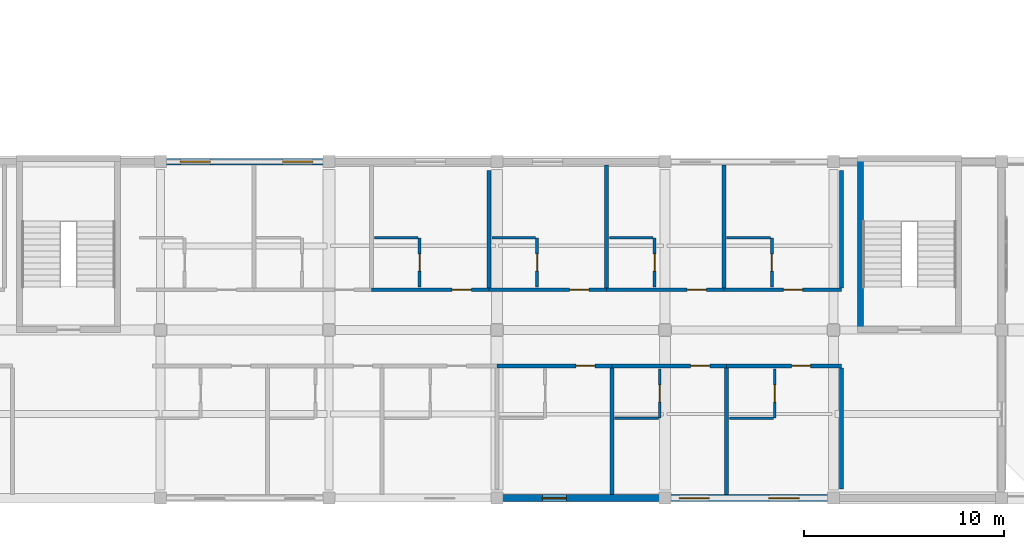
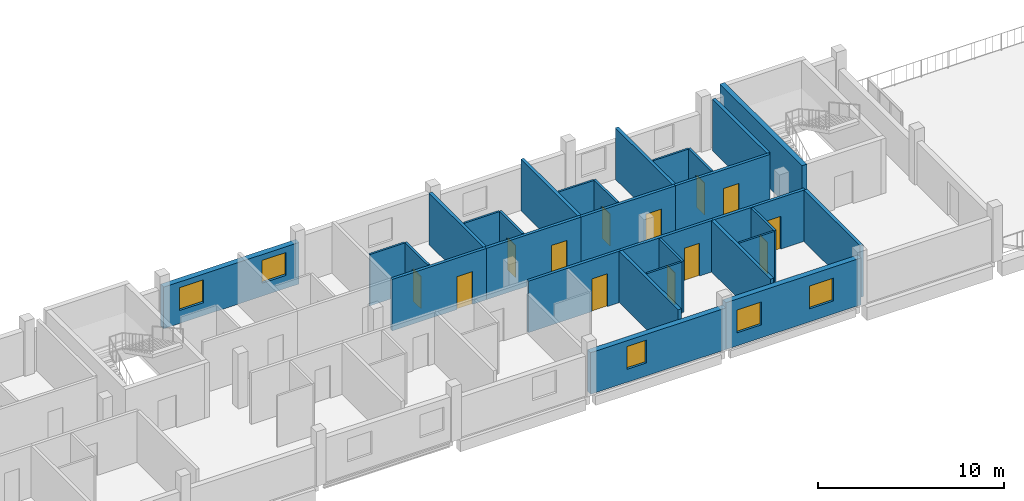
# One storey, part 19 of 25: 30 walls, 13 doors, 5 windows, 18 openings.
"""IFC4 building model written with IfcOpenShell, lengths in metres."""

from ifc_helpers import new_model, si_unit, derived_unit, direction, frame, frame_2d, origin, place, context, subcontext, project, spatial, rectangle, extrude, material, layer, layer_set, type_object, element, fill, save


model = new_model("IFC4")

# Units and contexts
model_context = context("Model", 3, precision=1e-05, world=origin(), true_north=direction((0.0, 1.0)))
body_context = subcontext(model_context, "Body", "Model", "MODEL_VIEW")
ifc_project = project(units=[si_unit("LENGTHUNIT", "METRE"), si_unit("AREAUNIT", "SQUARE_METRE"), si_unit("VOLUMEUNIT", "CUBIC_METRE"), si_unit("PLANEANGLEUNIT", "RADIAN"), si_unit("MASSUNIT", "GRAM", prefix="KILO"), derived_unit("THERMALTRANSMITTANCEUNIT", [(si_unit("POWERUNIT", "WATT"), 1), (si_unit("LENGTHUNIT", "METRE"), -2), (si_unit("THERMODYNAMICTEMPERATUREUNIT", "KELVIN"), -1)])], contexts=[model_context])

# Site, building, storey
site_placement = place(None, origin())
site = spatial("IfcSite", under=ifc_project, at=site_placement, CompositionType="ELEMENT")
building_placement = place(site_placement, origin())
building = spatial("IfcBuilding", under=site, at=building_placement, Name="Barrovel Congress Hotel", CompositionType="ELEMENT")
storey_placement = place(building_placement, frame((0.0, 0.0, 25.5)))
storey = spatial("IfcBuildingStorey", under=building, at=storey_placement, Name="L06", CompositionType="ELEMENT", Elevation=25.5)

# Wall, opening, window
ifc_material_1 = material(Name="Fired Clay Brick Masonry", Category="masonry")
ifc_layer_1 = layer(ifc_material_1, 0.340087890625)
ifc_layer_set_1 = layer_set([ifc_layer_1], Name="Fired Clay Brick Masonry")
wall_type_1 = type_object("IfcWallType", Name="EW-BRK340", PredefinedType="STANDARD", material=ifc_layer_set_1)
wall_1_placement = place(storey_placement, frame((126.0, 4.199951171875, 0.0), z_axis=(0.0, 0.0, 1.0), x_axis=(1.0, 0.0, 0.0)))
wall_1 = element("IfcWall", 1, at=wall_1_placement, inside=storey, type_object=wall_type_1, Name="EW:L06:HS-S:P11", PredefinedType="STANDARD", context=body_context, shape_type="SweptSolid", body=[
    extrude(rectangle(XDim=8.39990234375, YDim=0.340087890625, at=frame_2d((4.199951171875, 0.0))), origin(), (0.0, 0.0, 1.0), 2.72998046875),
])
opening_1_placement = place(wall_1_placement, frame((2.2666015625, 0.0, 0.85009765625)))
opening_1 = element("IfcOpeningElement", 2, at=opening_1_placement, cuts=wall_1, Name="Opening WN-06", PredefinedType="OPENING", context=body_context, shape_type="SweptSolid", body=[
    extrude(rectangle(XDim=1.199951171875, YDim=1.5, at=frame_2d((0.60009765625, 0.75))), frame((0.0, 0.18017578125, 0.0), z_axis=(0.0, -1.0, 0.0), x_axis=(1.0, 0.0, 0.0)), (0.0, 0.0, 1.0), 0.360107421875),
])
ifc_material_2 = material(Name="Double Low-E Insulated Glazing", Category="glass")
window_type_1 = type_object("IfcWindowType", Name="WIN-WN-06", PartitioningType="SINGLE_PANEL", PredefinedType="WINDOW", material=ifc_material_2)
window_1_placement = place(opening_1_placement, origin())
window_1 = element("IfcWindow", 3, at=window_1_placement, inside=storey, type_object=window_type_1, Name="WIN:L06:U15", OverallHeight=1.5, OverallWidth=1.199951171875, PartitioningType="SINGLE_PANEL", PredefinedType="WINDOW", context=body_context, shape_type="SweptSolid", body=[
    extrude(rectangle(XDim=1.199951171875, YDim=1.5, at=frame_2d((0.60009765625, 0.75))), frame((0.0, 0.030029296875, 0.0), z_axis=(0.0, -1.0, 0.0), x_axis=(1.0, 0.0, 0.0)), (0.0, 0.0, 1.0), 0.06005859375),
])
fill(opening_1, window_1)

# Wall, openings, windows
wall_2_placement = place(storey_placement, frame((134.39990234375, 4.199951171875, 0.0), z_axis=(0.0, 0.0, 1.0), x_axis=(1.0, 0.0, 0.0)))
wall_2 = element("IfcWall", 4, at=wall_2_placement, inside=storey, type_object=wall_type_1, Name="EW:L06:HS-S:P12", PredefinedType="STANDARD", context=body_context, shape_type="SweptSolid", body=[
    extrude(rectangle(XDim=8.400146484375, YDim=0.340087890625, at=frame_2d((4.2001953125, 0.0))), origin(), (0.0, 0.0, 1.0), 3.0751953125),
])
opening_2_placement = place(wall_2_placement, frame((0.699951171875, 0.0, 0.85009765625)))
opening_2 = element("IfcOpeningElement", 5, at=opening_2_placement, cuts=wall_2, Name="Opening WN-07", PredefinedType="OPENING", context=body_context, shape_type="SweptSolid", body=[
    extrude(rectangle(XDim=1.5, YDim=1.5, at=frame_2d((0.75, 0.75))), frame((0.0, 0.18017578125, 0.0), z_axis=(0.0, -1.0, 0.0), x_axis=(1.0, 0.0, 0.0)), (0.0, 0.0, 1.0), 0.360107421875),
])
opening_3_placement = place(wall_2_placement, frame((5.183349609375, 0.0, 0.85009765625)))
opening_3 = element("IfcOpeningElement", 6, at=opening_3_placement, cuts=wall_2, Name="Opening WN-07", PredefinedType="OPENING", context=body_context, shape_type="SweptSolid", body=[
    extrude(rectangle(XDim=1.5, YDim=1.5, at=frame_2d((0.75, 0.75))), frame((0.0, 0.18017578125, 0.0), z_axis=(0.0, -1.0, 0.0), x_axis=(1.0, 0.0, 0.0)), (0.0, 0.0, 1.0), 0.360107421875),
])
window_type_2 = type_object("IfcWindowType", Name="WIN-WN-07", PartitioningType="SINGLE_PANEL", PredefinedType="WINDOW", material=ifc_material_2)
window_2_placement = place(opening_2_placement, origin())
window_2 = element("IfcWindow", 7, at=window_2_placement, inside=storey, type_object=window_type_2, Name="WIN:L06:U16", OverallHeight=1.5, OverallWidth=1.5, PartitioningType="SINGLE_PANEL", PredefinedType="WINDOW", context=body_context, shape_type="SweptSolid", body=[
    extrude(rectangle(XDim=1.5, YDim=1.5, at=frame_2d((0.75, 0.75))), frame((0.0, 0.030029296875, 0.0), z_axis=(0.0, -1.0, 0.0), x_axis=(1.0, 0.0, 0.0)), (0.0, 0.0, 1.0), 0.06005859375),
])
fill(opening_2, window_2)
window_3_placement = place(opening_3_placement, origin())
window_3 = element("IfcWindow", 8, at=window_3_placement, inside=storey, type_object=window_type_2, Name="WIN:L06:U17", OverallHeight=1.5, OverallWidth=1.5, PartitioningType="SINGLE_PANEL", PredefinedType="WINDOW", context=body_context, shape_type="SweptSolid", body=[
    extrude(rectangle(XDim=1.5, YDim=1.5, at=frame_2d((0.75, 0.75))), frame((0.0, 0.030029296875, 0.0), z_axis=(0.0, -1.0, 0.0), x_axis=(1.0, 0.0, 0.0)), (0.0, 0.0, 1.0), 0.06005859375),
])
fill(opening_3, window_3)

wall_3_placement = place(storey_placement, frame((117.60009765625, 21.0, 0.0), z_axis=(0.0, 0.0, 1.0), x_axis=(-1.0, 0.0, 0.0)))
wall_3 = element("IfcWall", 9, at=wall_3_placement, inside=storey, type_object=wall_type_1, Name="EW:L06:HS-NE-2:P05", PredefinedType="STANDARD", context=body_context, shape_type="SweptSolid", body=[
    extrude(rectangle(XDim=8.400146484375, YDim=0.340087890625, at=frame_2d((4.2001953125, 0.0))), origin(), (0.0, 0.0, 1.0), 2.72998046875),
])
opening_4_placement = place(wall_3_placement, frame((5.916748046875, 0.0, 0.85009765625)))
opening_4 = element("IfcOpeningElement", 10, at=opening_4_placement, cuts=wall_3, Name="Opening WN-07", PredefinedType="OPENING", context=body_context, shape_type="SweptSolid", body=[
    extrude(rectangle(XDim=1.5, YDim=1.5, at=frame_2d((0.75, 0.75))), frame((0.0, 0.18017578125, 0.0), z_axis=(0.0, -1.0, 0.0), x_axis=(1.0, 0.0, 0.0)), (0.0, 0.0, 1.0), 0.360107421875),
])
opening_5_placement = place(wall_3_placement, frame((0.800048828125, 0.0, 0.85009765625)))
opening_5 = element("IfcOpeningElement", 11, at=opening_5_placement, cuts=wall_3, Name="Opening WN-07", PredefinedType="OPENING", context=body_context, shape_type="SweptSolid", body=[
    extrude(rectangle(XDim=1.5, YDim=1.5, at=frame_2d((0.75, 0.75))), frame((0.0, 0.18017578125, 0.0), z_axis=(0.0, -1.0, 0.0), x_axis=(1.0, 0.0, 0.0)), (0.0, 0.0, 1.0), 0.360107421875),
])
window_4_placement = place(opening_4_placement, origin())
window_4 = element("IfcWindow", 12, at=window_4_placement, inside=storey, type_object=window_type_2, Name="WIN:L06:U22", OverallHeight=1.5, OverallWidth=1.5, PartitioningType="SINGLE_PANEL", PredefinedType="WINDOW", context=body_context, shape_type="SweptSolid", body=[
    extrude(rectangle(XDim=1.5, YDim=1.5, at=frame_2d((0.75, 0.75))), frame((0.0, 0.030029296875, 0.0), z_axis=(0.0, -1.0, 0.0), x_axis=(1.0, 0.0, 0.0)), (0.0, 0.0, 1.0), 0.06005859375),
])
fill(opening_4, window_4)
window_5_placement = place(opening_5_placement, origin())
window_5 = element("IfcWindow", 13, at=window_5_placement, inside=storey, type_object=window_type_2, Name="WIN:L06:U23", OverallHeight=1.5, OverallWidth=1.5, PartitioningType="SINGLE_PANEL", PredefinedType="WINDOW", context=body_context, shape_type="SweptSolid", body=[
    extrude(rectangle(XDim=1.5, YDim=1.5, at=frame_2d((0.75, 0.75))), frame((0.0, 0.030029296875, 0.0), z_axis=(0.0, -1.0, 0.0), x_axis=(1.0, 0.0, 0.0)), (0.0, 0.0, 1.0), 0.06005859375),
])
fill(opening_5, window_5)

# Wall, opening, door
ifc_material_3 = material(Name="Gypsum Acoustic Stud", Category="gypsum")
ifc_layer_2 = layer(ifc_material_3, 0.179931640625)
ifc_layer_set_2 = layer_set([ifc_layer_2], Name="Gypsum Acoustic Stud")
wall_type_2 = type_object("IfcWallType", Name="PW-ACU-180", PredefinedType="PARTITIONING", material=ifc_layer_set_2)
wall_4_placement = place(storey_placement, frame((126.0, 10.800048828125, 0.0), z_axis=(0.0, 0.0, 1.0), x_axis=(1.0, 0.0, 0.0)))
wall_4 = element("IfcWall", 14, at=wall_4_placement, inside=storey, type_object=wall_type_2, Name="PW:L06:U15:COR", PredefinedType="PARTITIONING", context=body_context, shape_type="SweptSolid", body=[
    extrude(rectangle(XDim=5.7333984375, YDim=0.179931640625, at=frame_2d((2.86669921875, 0.0))), origin(), (0.0, 0.0, 1.0), 3.375),
])
opening_6_placement = place(wall_4_placement, frame((3.941650390625, 0.0, 0.0)))
opening_6 = element("IfcOpeningElement", 15, at=opening_6_placement, cuts=wall_4, Name="Opening ID-HTL", PredefinedType="OPENING", context=body_context, shape_type="SweptSolid", body=[
    extrude(rectangle(XDim=0.9599609375, YDim=2.14990234375, at=frame_2d((0.47998046875, 1.074951171875))), frame((0.0, 0.10009765625, 0.0), z_axis=(0.0, -1.0, 0.0), x_axis=(1.0, 0.0, 0.0)), (0.0, 0.0, 1.0), 0.199951171875),
])
ifc_material_4 = material(Name="Solid Oak Acoustic Timber Door", Category="wood")
door_type_1 = type_object("IfcDoorType", Name="IDR-ID-HTL", OperationType="NOTDEFINED", PredefinedType="DOOR", material=ifc_material_4)
door_1_placement = place(opening_6_placement, origin())
door_1 = element("IfcDoor", 16, at=door_1_placement, inside=storey, type_object=door_type_1, Name="DR:L06:U15:ENT", OperationType="SINGLE_SWING_RIGHT", OverallHeight=2.14990234375, OverallWidth=0.9599609375, PredefinedType="DOOR", context=body_context, shape_type="SweptSolid", body=[
    extrude(rectangle(XDim=0.9599609375, YDim=2.14990234375, at=frame_2d((0.47998046875, 1.074951171875))), frame((0.0, 0.02490234375, 0.0), z_axis=(0.0, -1.0, 0.0), x_axis=(1.0, 0.0, 0.0)), (0.0, 0.0, 1.0), 0.050048828125),
])
fill(opening_6, door_1)

wall_5_placement = place(storey_placement, frame((131.7333984375, 10.800048828125, 0.0), z_axis=(0.0, 0.0, 1.0), x_axis=(1.0, 0.0, 0.0)))
wall_5 = element("IfcWall", 17, at=wall_5_placement, inside=storey, type_object=wall_type_2, Name="PW:L06:U16:COR", PredefinedType="PARTITIONING", context=body_context, shape_type="SweptSolid", body=[
    extrude(rectangle(XDim=5.7333984375, YDim=0.179931640625, at=frame_2d((2.86669921875, 0.0))), origin(), (0.0, 0.0, 1.0), 3.375),
])
opening_7_placement = place(wall_5_placement, frame((3.941650390625, 0.0, 0.0)))
opening_7 = element("IfcOpeningElement", 18, at=opening_7_placement, cuts=wall_5, Name="Opening ID-HTL", PredefinedType="OPENING", context=body_context, shape_type="SweptSolid", body=[
    extrude(rectangle(XDim=0.9599609375, YDim=2.14990234375, at=frame_2d((0.47998046875, 1.074951171875))), frame((0.0, 0.10009765625, 0.0), z_axis=(0.0, -1.0, 0.0), x_axis=(1.0, 0.0, 0.0)), (0.0, 0.0, 1.0), 0.199951171875),
])
door_2_placement = place(opening_7_placement, origin())
door_2 = element("IfcDoor", 19, at=door_2_placement, inside=storey, type_object=door_type_1, Name="DR:L06:U16:ENT", OperationType="SINGLE_SWING_RIGHT", OverallHeight=2.14990234375, OverallWidth=0.9599609375, PredefinedType="DOOR", context=body_context, shape_type="SweptSolid", body=[
    extrude(rectangle(XDim=0.9599609375, YDim=2.14990234375, at=frame_2d((0.47998046875, 1.074951171875))), frame((0.0, 0.02490234375, 0.0), z_axis=(0.0, -1.0, 0.0), x_axis=(1.0, 0.0, 0.0)), (0.0, 0.0, 1.0), 0.050048828125),
])
fill(opening_7, door_2)

wall_6_placement = place(storey_placement, frame((137.466796875, 10.800048828125, 0.0), z_axis=(0.0, 0.0, 1.0), x_axis=(1.0, 0.0, 0.0)))
wall_6 = element("IfcWall", 20, at=wall_6_placement, inside=storey, type_object=wall_type_2, Name="PW:L06:U17:COR", PredefinedType="PARTITIONING", context=body_context, shape_type="SweptSolid", body=[
    extrude(rectangle(XDim=5.733154296875, YDim=0.179931640625, at=frame_2d((2.86669921875, 0.0))), origin(), (0.0, 0.0, 1.0), 3.375),
])
opening_8_placement = place(wall_6_placement, frame((3.24169921875, 0.0, 0.0)))
opening_8 = element("IfcOpeningElement", 21, at=opening_8_placement, cuts=wall_6, Name="Opening ID-HTL", PredefinedType="OPENING", context=body_context, shape_type="SweptSolid", body=[
    extrude(rectangle(XDim=0.9599609375, YDim=2.14990234375, at=frame_2d((0.47998046875, 1.074951171875))), frame((0.0, 0.10009765625, 0.0), z_axis=(0.0, -1.0, 0.0), x_axis=(1.0, 0.0, 0.0)), (0.0, 0.0, 1.0), 0.199951171875),
])
door_3_placement = place(opening_8_placement, origin())
door_3 = element("IfcDoor", 22, at=door_3_placement, inside=storey, type_object=door_type_1, Name="DR:L06:U17:ENT", OperationType="SINGLE_SWING_RIGHT", OverallHeight=2.14990234375, OverallWidth=0.9599609375, PredefinedType="DOOR", context=body_context, shape_type="SweptSolid", body=[
    extrude(rectangle(XDim=0.9599609375, YDim=2.14990234375, at=frame_2d((0.47998046875, 1.074951171875))), frame((0.0, 0.02490234375, 0.0), z_axis=(0.0, -1.0, 0.0), x_axis=(1.0, 0.0, 0.0)), (0.0, 0.0, 1.0), 0.050048828125),
])
fill(opening_8, door_3)

wall_7_placement = place(storey_placement, frame((119.7333984375, 14.60009765625, 0.0), z_axis=(0.0, 0.0, 1.0), x_axis=(1.0, 0.0, 0.0)))
wall_7 = element("IfcWall", 23, at=wall_7_placement, inside=storey, type_object=wall_type_2, Name="PW:L06:U24:COR", PredefinedType="PARTITIONING", context=body_context, shape_type="SweptSolid", body=[
    extrude(rectangle(XDim=5.86669921875, YDim=0.179931640625, at=frame_2d((2.933349609375, 0.0))), origin(), (0.0, 0.0, 1.0), 3.375),
])
opening_9_placement = place(wall_7_placement, frame((4.0244140625, 0.0, 0.0)))
opening_9 = element("IfcOpeningElement", 24, at=opening_9_placement, cuts=wall_7, Name="Opening ID-HTL", PredefinedType="OPENING", context=body_context, shape_type="SweptSolid", body=[
    extrude(rectangle(XDim=0.9599609375, YDim=2.14990234375, at=frame_2d((0.47998046875, 1.074951171875))), frame((0.0, 0.10009765625, 0.0), z_axis=(0.0, -1.0, 0.0), x_axis=(1.0, 0.0, 0.0)), (0.0, 0.0, 1.0), 0.199951171875),
])
door_4_placement = place(opening_9_placement, origin())
door_4 = element("IfcDoor", 25, at=door_4_placement, inside=storey, type_object=door_type_1, Name="DR:L06:U24:ENT", OperationType="SINGLE_SWING_RIGHT", OverallHeight=2.14990234375, OverallWidth=0.9599609375, PredefinedType="DOOR", context=body_context, shape_type="SweptSolid", body=[
    extrude(rectangle(XDim=0.9599609375, YDim=2.14990234375, at=frame_2d((0.47998046875, 1.074951171875))), frame((0.0, 0.02490234375, 0.0), z_axis=(0.0, -1.0, 0.0), x_axis=(1.0, 0.0, 0.0)), (0.0, 0.0, 1.0), 0.050048828125),
])
fill(opening_9, door_4)

wall_8_placement = place(storey_placement, frame((125.60009765625, 14.60009765625, 0.0), z_axis=(0.0, 0.0, 1.0), x_axis=(1.0, 0.0, 0.0)))
wall_8 = element("IfcWall", 26, at=wall_8_placement, inside=storey, type_object=wall_type_2, Name="PW:L06:U25:COR", PredefinedType="PARTITIONING", context=body_context, shape_type="SweptSolid", body=[
    extrude(rectangle(XDim=5.86669921875, YDim=0.179931640625, at=frame_2d((2.933349609375, 0.0))), origin(), (0.0, 0.0, 1.0), 3.375),
])
opening_10_placement = place(wall_8_placement, frame((4.0244140625, 0.0, 0.0)))
opening_10 = element("IfcOpeningElement", 27, at=opening_10_placement, cuts=wall_8, Name="Opening ID-HTL", PredefinedType="OPENING", context=body_context, shape_type="SweptSolid", body=[
    extrude(rectangle(XDim=0.9599609375, YDim=2.14990234375, at=frame_2d((0.47998046875, 1.074951171875))), frame((0.0, 0.10009765625, 0.0), z_axis=(0.0, -1.0, 0.0), x_axis=(1.0, 0.0, 0.0)), (0.0, 0.0, 1.0), 0.199951171875),
])
door_5_placement = place(opening_10_placement, origin())
door_5 = element("IfcDoor", 28, at=door_5_placement, inside=storey, type_object=door_type_1, Name="DR:L06:U25:ENT", OperationType="SINGLE_SWING_RIGHT", OverallHeight=2.14990234375, OverallWidth=0.9599609375, PredefinedType="DOOR", context=body_context, shape_type="SweptSolid", body=[
    extrude(rectangle(XDim=0.9599609375, YDim=2.14990234375, at=frame_2d((0.47998046875, 1.074951171875))), frame((0.0, 0.02490234375, 0.0), z_axis=(0.0, -1.0, 0.0), x_axis=(1.0, 0.0, 0.0)), (0.0, 0.0, 1.0), 0.050048828125),
])
fill(opening_10, door_5)

wall_9_placement = place(storey_placement, frame((131.466796875, 14.60009765625, 0.0), z_axis=(0.0, 0.0, 1.0), x_axis=(1.0, 0.0, 0.0)))
wall_9 = element("IfcWall", 29, at=wall_9_placement, inside=storey, type_object=wall_type_2, Name="PW:L06:U26:COR", PredefinedType="PARTITIONING", context=body_context, shape_type="SweptSolid", body=[
    extrude(rectangle(XDim=5.866455078125, YDim=0.179931640625, at=frame_2d((2.93310546875, 0.0))), origin(), (0.0, 0.0, 1.0), 3.375),
])
opening_11_placement = place(wall_9_placement, frame((4.0244140625, 0.0, 0.0)))
opening_11 = element("IfcOpeningElement", 30, at=opening_11_placement, cuts=wall_9, Name="Opening ID-HTL", PredefinedType="OPENING", context=body_context, shape_type="SweptSolid", body=[
    extrude(rectangle(XDim=0.9599609375, YDim=2.14990234375, at=frame_2d((0.47998046875, 1.074951171875))), frame((0.0, 0.10009765625, 0.0), z_axis=(0.0, -1.0, 0.0), x_axis=(1.0, 0.0, 0.0)), (0.0, 0.0, 1.0), 0.199951171875),
])
door_6_placement = place(opening_11_placement, origin())
door_6 = element("IfcDoor", 31, at=door_6_placement, inside=storey, type_object=door_type_1, Name="DR:L06:U26:ENT", OperationType="SINGLE_SWING_RIGHT", OverallHeight=2.14990234375, OverallWidth=0.9599609375, PredefinedType="DOOR", context=body_context, shape_type="SweptSolid", body=[
    extrude(rectangle(XDim=0.9599609375, YDim=2.14990234375, at=frame_2d((0.47998046875, 1.074951171875))), frame((0.0, 0.02490234375, 0.0), z_axis=(0.0, -1.0, 0.0), x_axis=(1.0, 0.0, 0.0)), (0.0, 0.0, 1.0), 0.050048828125),
])
fill(opening_11, door_6)

wall_10_placement = place(storey_placement, frame((137.333251953125, 14.60009765625, 0.0), z_axis=(0.0, 0.0, 1.0), x_axis=(1.0, 0.0, 0.0)))
wall_10 = element("IfcWall", 32, at=wall_10_placement, inside=storey, type_object=wall_type_2, Name="PW:L06:U27:COR", PredefinedType="PARTITIONING", context=body_context, shape_type="SweptSolid", body=[
    extrude(rectangle(XDim=5.86669921875, YDim=0.179931640625, at=frame_2d((2.933349609375, 0.0))), origin(), (0.0, 0.0, 1.0), 3.375),
])
opening_12_placement = place(wall_10_placement, frame((2.974365234375, 0.0, 0.0)))
opening_12 = element("IfcOpeningElement", 33, at=opening_12_placement, cuts=wall_10, Name="Opening ID-HTL", PredefinedType="OPENING", context=body_context, shape_type="SweptSolid", body=[
    extrude(rectangle(XDim=0.9599609375, YDim=2.14990234375, at=frame_2d((0.47998046875, 1.074951171875))), frame((0.0, 0.10009765625, 0.0), z_axis=(0.0, -1.0, 0.0), x_axis=(1.0, 0.0, 0.0)), (0.0, 0.0, 1.0), 0.199951171875),
])
door_7_placement = place(opening_12_placement, origin())
door_7 = element("IfcDoor", 34, at=door_7_placement, inside=storey, type_object=door_type_1, Name="DR:L06:U27:ENT", OperationType="SINGLE_SWING_RIGHT", OverallHeight=2.14990234375, OverallWidth=0.9599609375, PredefinedType="DOOR", context=body_context, shape_type="SweptSolid", body=[
    extrude(rectangle(XDim=0.9599609375, YDim=2.14990234375, at=frame_2d((0.47998046875, 1.074951171875))), frame((0.0, 0.02490234375, 0.0), z_axis=(0.0, -1.0, 0.0), x_axis=(1.0, 0.0, 0.0)), (0.0, 0.0, 1.0), 0.050048828125),
])
fill(opening_12, door_7)

# Walls
ifc_layer_3 = layer(ifc_material_3, 0.1201171875)
ifc_layer_set_3 = layer_set([ifc_layer_3], Name="Gypsum Acoustic Stud")
wall_type_3 = type_object("IfcWallType", Name="PW-INT-120", PredefinedType="PARTITIONING", material=ifc_layer_set_3)
for number, where, z_axis, x_axis, name in (
    (35, (131.873291015625, 8.199951171875, 0.0), (0.0, 0.0, 1.0), (1.0, 0.0, 0.0), "PW:L06:U16:B2"),
    (36, (137.606689453125, 8.199951171875, 0.0), (0.0, 0.0, 1.0), (1.0, 0.0, 0.0), "PW:L06:U17:B2"),
    (37, (119.873291015625, 17.199951171875, 0.0), (0.0, 0.0, 1.0), (1.0, 0.0, 0.0), "PW:L06:U24:B2"),
    (38, (125.739990234375, 17.199951171875, 0.0), (0.0, 0.0, 1.0), (1.0, 0.0, 0.0), "PW:L06:U25:B2"),
    (39, (131.606689453125, 17.199951171875, 0.0), (0.0, 0.0, 1.0), (1.0, 0.0, 0.0), "PW:L06:U26:B2"),
    (40, (137.473388671875, 17.199951171875, 0.0), (0.0, 0.0, 1.0), (1.0, 0.0, 0.0), "PW:L06:U27:B2"),
):
    element("IfcWall", number, at=place(storey_placement, frame(where, z_axis=z_axis, x_axis=x_axis)), inside=storey, type_object=wall_type_3, Name=name, PredefinedType="PARTITIONING", context=body_context, shape_type="SweptSolid", body=[
        extrude(rectangle(XDim=2.18994140625, YDim=0.1201171875, at=frame_2d((1.094970703125, 0.0))), origin(), (0.0, 0.0, 1.0), 3.375),
    ])
ifc_layer_4 = layer(ifc_material_1, 0.199951171875)
ifc_layer_set_4 = layer_set([ifc_layer_4], Name="Fired Clay Brick Masonry")
wall_type_4 = type_object("IfcWallType", Name="PW-MAS-200", PredefinedType="PARTITIONING", material=ifc_layer_set_4)
for number, where, z_axis, x_axis, name in (
    (41, (131.7333984375, 4.3701171875, 0.0), (0.0, 0.0, 1.0), (0.0, 1.0, 0.0), "PW:L06:U15:DEM"),
    (42, (137.466796875, 4.3701171875, 0.0), (0.0, 0.0, 1.0), (0.0, 1.0, 0.0), "PW:L06:U16:DEM"),
):
    element("IfcWall", number, at=place(storey_placement, frame(where, z_axis=z_axis, x_axis=x_axis)), inside=storey, type_object=wall_type_4, Name=name, PredefinedType="PARTITIONING", context=body_context, shape_type="SweptSolid", body=[
        extrude(rectangle(XDim=6.33984375, YDim=0.199951171875, at=frame_2d((3.169921875, 0.0))), origin(), (0.0, 0.0, 1.0), 3.375),
    ])
wall_11_placement = place(storey_placement, frame((143.199951171875, 4.64990234375, 0.0), z_axis=(0.0, 0.0, 1.0), x_axis=(0.0, 1.0, 0.0)))
element("IfcWall", 43, at=wall_11_placement, inside=storey, type_object=wall_type_4, Name="PW:L06:U17:DEM", PredefinedType="PARTITIONING", context=body_context, shape_type="SweptSolid", body=[
    extrude(rectangle(XDim=6.06005859375, YDim=0.199951171875, at=frame_2d((3.030029296875, 0.0))), origin(), (0.0, 0.0, 1.0), 3.375),
])
wall_12_placement = place(storey_placement, frame((125.60009765625, 14.68994140625, 0.0), z_axis=(0.0, 0.0, 1.0), x_axis=(0.0, 1.0, 0.0)))
element("IfcWall", 44, at=wall_12_placement, inside=storey, type_object=wall_type_4, Name="PW:L06:U24:DEM", PredefinedType="PARTITIONING", context=body_context, shape_type="SweptSolid", body=[
    extrude(rectangle(XDim=5.860107421875, YDim=0.199951171875, at=frame_2d((2.93017578125, 0.0))), origin(), (0.0, 0.0, 1.0), 3.375),
])
for number, where, z_axis, x_axis, name in (
    (45, (131.466796875, 14.68994140625, 0.0), (0.0, 0.0, 1.0), (0.0, 1.0, 0.0), "PW:L06:U25:DEM"),
    (46, (137.333251953125, 14.68994140625, 0.0), (0.0, 0.0, 1.0), (0.0, 1.0, 0.0), "PW:L06:U26:DEM"),
):
    element("IfcWall", number, at=place(storey_placement, frame(where, z_axis=z_axis, x_axis=x_axis)), inside=storey, type_object=wall_type_4, Name=name, PredefinedType="PARTITIONING", context=body_context, shape_type="SweptSolid", body=[
        extrude(rectangle(XDim=6.14013671875, YDim=0.199951171875, at=frame_2d((3.070068359375, 0.0))), origin(), (0.0, 0.0, 1.0), 3.375),
    ])
wall_13_placement = place(storey_placement, frame((143.199951171875, 14.68994140625, 0.0), z_axis=(0.0, 0.0, 1.0), x_axis=(0.0, 1.0, 0.0)))
element("IfcWall", 47, at=wall_13_placement, inside=storey, type_object=wall_type_4, Name="PW:L06:U27:DEM", PredefinedType="PARTITIONING", context=body_context, shape_type="SweptSolid", body=[
    extrude(rectangle(XDim=5.860107421875, YDim=0.199951171875, at=frame_2d((2.93017578125, 0.0))), origin(), (0.0, 0.0, 1.0), 3.375),
])

# Wall, opening, door
ifc_material_5 = material(Name="Gypsum Moisture Board", Category="gypsum")
ifc_layer_5 = layer(ifc_material_5, 0.139892578125)
ifc_layer_set_5 = layer_set([ifc_layer_5], Name="Gypsum Moisture Board")
wall_type_5 = type_object("IfcWallType", Name="PW-WET-140", PredefinedType="PARTITIONING", material=ifc_layer_set_5)
wall_14_placement = place(storey_placement, frame((134.13330078125, 8.199951171875, 0.0), z_axis=(0.0, 0.0, 1.0), x_axis=(0.0, 1.0, 0.0)))
wall_14 = element("IfcWall", 48, at=wall_14_placement, inside=storey, type_object=wall_type_5, Name="PW:L06:U16:B1", PredefinedType="PARTITIONING", context=body_context, shape_type="SweptSolid", body=[
    extrude(rectangle(XDim=2.4599609375, YDim=0.139892578125, at=frame_2d((1.22998046875, 0.0))), origin(), (0.0, 0.0, 1.0), 3.375),
])
opening_13_placement = place(wall_14_placement, frame((0.800048828125, 0.0, 0.0)))
opening_13 = element("IfcOpeningElement", 49, at=opening_13_placement, cuts=wall_14, Name="Opening ID-ENS", PredefinedType="OPENING", context=body_context, shape_type="SweptSolid", body=[
    extrude(rectangle(XDim=0.860107421875, YDim=2.10009765625, at=frame_2d((0.43017578125, 1.050048828125))), frame((0.0, 0.080078125, 0.0), z_axis=(0.0, -1.0, 0.0), x_axis=(1.0, 0.0, 0.0)), (0.0, 0.0, 1.0), 0.159912109375),
])
ifc_material_6 = material(Name="Lacquered Timber Moisture Door", Category="wood")
door_type_2 = type_object("IfcDoorType", Name="IDR-ID-ENS", OperationType="NOTDEFINED", PredefinedType="DOOR", material=ifc_material_6)
door_8_placement = place(opening_13_placement, origin())
door_8 = element("IfcDoor", 50, at=door_8_placement, inside=storey, type_object=door_type_2, Name="DR:L06:U16:ENS", OperationType="SINGLE_SWING_LEFT", OverallHeight=2.10009765625, OverallWidth=0.860107421875, PredefinedType="DOOR", context=body_context, shape_type="SweptSolid", body=[
    extrude(rectangle(XDim=0.860107421875, YDim=2.10009765625, at=frame_2d((0.43017578125, 1.050048828125))), frame((0.0, 0.02490234375, 0.0), z_axis=(0.0, -1.0, 0.0), x_axis=(1.0, 0.0, 0.0)), (0.0, 0.0, 1.0), 0.050048828125),
])
fill(opening_13, door_8)

wall_15_placement = place(storey_placement, frame((139.86669921875, 8.199951171875, 0.0), z_axis=(0.0, 0.0, 1.0), x_axis=(0.0, 1.0, 0.0)))
wall_15 = element("IfcWall", 51, at=wall_15_placement, inside=storey, type_object=wall_type_5, Name="PW:L06:U17:B1", PredefinedType="PARTITIONING", context=body_context, shape_type="SweptSolid", body=[
    extrude(rectangle(XDim=2.4599609375, YDim=0.139892578125, at=frame_2d((1.22998046875, 0.0))), origin(), (0.0, 0.0, 1.0), 3.375),
])
opening_14_placement = place(wall_15_placement, frame((0.800048828125, 0.0, 0.0)))
opening_14 = element("IfcOpeningElement", 52, at=opening_14_placement, cuts=wall_15, Name="Opening ID-ENS", PredefinedType="OPENING", context=body_context, shape_type="SweptSolid", body=[
    extrude(rectangle(XDim=0.860107421875, YDim=2.10009765625, at=frame_2d((0.43017578125, 1.050048828125))), frame((0.0, 0.080078125, 0.0), z_axis=(0.0, -1.0, 0.0), x_axis=(1.0, 0.0, 0.0)), (0.0, 0.0, 1.0), 0.159912109375),
])
door_9_placement = place(opening_14_placement, origin())
door_9 = element("IfcDoor", 53, at=door_9_placement, inside=storey, type_object=door_type_2, Name="DR:L06:U17:ENS", OperationType="SINGLE_SWING_LEFT", OverallHeight=2.10009765625, OverallWidth=0.860107421875, PredefinedType="DOOR", context=body_context, shape_type="SweptSolid", body=[
    extrude(rectangle(XDim=0.860107421875, YDim=2.10009765625, at=frame_2d((0.43017578125, 1.050048828125))), frame((0.0, 0.02490234375, 0.0), z_axis=(0.0, -1.0, 0.0), x_axis=(1.0, 0.0, 0.0)), (0.0, 0.0, 1.0), 0.050048828125),
])
fill(opening_14, door_9)

wall_16_placement = place(storey_placement, frame((122.13330078125, 14.739990234375, 0.0), z_axis=(0.0, 0.0, 1.0), x_axis=(0.0, 1.0, 0.0)))
wall_16 = element("IfcWall", 54, at=wall_16_placement, inside=storey, type_object=wall_type_5, Name="PW:L06:U24:B1", PredefinedType="PARTITIONING", context=body_context, shape_type="SweptSolid", body=[
    extrude(rectangle(XDim=2.4599609375, YDim=0.139892578125, at=frame_2d((1.22998046875, 0.0))), origin(), (0.0, 0.0, 1.0), 3.375),
])
opening_15_placement = place(wall_16_placement, frame((0.800048828125, 0.0, 0.0)))
opening_15 = element("IfcOpeningElement", 55, at=opening_15_placement, cuts=wall_16, Name="Opening ID-ENS", PredefinedType="OPENING", context=body_context, shape_type="SweptSolid", body=[
    extrude(rectangle(XDim=0.860107421875, YDim=2.10009765625, at=frame_2d((0.43017578125, 1.050048828125))), frame((0.0, 0.080078125, 0.0), z_axis=(0.0, -1.0, 0.0), x_axis=(1.0, 0.0, 0.0)), (0.0, 0.0, 1.0), 0.159912109375),
])
door_10_placement = place(opening_15_placement, origin())
door_10 = element("IfcDoor", 56, at=door_10_placement, inside=storey, type_object=door_type_2, Name="DR:L06:U24:ENS", OperationType="SINGLE_SWING_LEFT", OverallHeight=2.10009765625, OverallWidth=0.860107421875, PredefinedType="DOOR", context=body_context, shape_type="SweptSolid", body=[
    extrude(rectangle(XDim=0.860107421875, YDim=2.10009765625, at=frame_2d((0.43017578125, 1.050048828125))), frame((0.0, 0.02490234375, 0.0), z_axis=(0.0, -1.0, 0.0), x_axis=(1.0, 0.0, 0.0)), (0.0, 0.0, 1.0), 0.050048828125),
])
fill(opening_15, door_10)

wall_17_placement = place(storey_placement, frame((128.0, 14.739990234375, 0.0), z_axis=(0.0, 0.0, 1.0), x_axis=(0.0, 1.0, 0.0)))
wall_17 = element("IfcWall", 57, at=wall_17_placement, inside=storey, type_object=wall_type_5, Name="PW:L06:U25:B1", PredefinedType="PARTITIONING", context=body_context, shape_type="SweptSolid", body=[
    extrude(rectangle(XDim=2.4599609375, YDim=0.139892578125, at=frame_2d((1.22998046875, 0.0))), origin(), (0.0, 0.0, 1.0), 3.375),
])
opening_16_placement = place(wall_17_placement, frame((0.800048828125, 0.0, 0.0)))
opening_16 = element("IfcOpeningElement", 58, at=opening_16_placement, cuts=wall_17, Name="Opening ID-ENS", PredefinedType="OPENING", context=body_context, shape_type="SweptSolid", body=[
    extrude(rectangle(XDim=0.860107421875, YDim=2.10009765625, at=frame_2d((0.43017578125, 1.050048828125))), frame((0.0, 0.080078125, 0.0), z_axis=(0.0, -1.0, 0.0), x_axis=(1.0, 0.0, 0.0)), (0.0, 0.0, 1.0), 0.159912109375),
])
door_11_placement = place(opening_16_placement, origin())
door_11 = element("IfcDoor", 59, at=door_11_placement, inside=storey, type_object=door_type_2, Name="DR:L06:U25:ENS", OperationType="SINGLE_SWING_LEFT", OverallHeight=2.10009765625, OverallWidth=0.860107421875, PredefinedType="DOOR", context=body_context, shape_type="SweptSolid", body=[
    extrude(rectangle(XDim=0.860107421875, YDim=2.10009765625, at=frame_2d((0.43017578125, 1.050048828125))), frame((0.0, 0.02490234375, 0.0), z_axis=(0.0, -1.0, 0.0), x_axis=(1.0, 0.0, 0.0)), (0.0, 0.0, 1.0), 0.050048828125),
])
fill(opening_16, door_11)

wall_18_placement = place(storey_placement, frame((133.86669921875, 14.739990234375, 0.0), z_axis=(0.0, 0.0, 1.0), x_axis=(0.0, 1.0, 0.0)))
wall_18 = element("IfcWall", 60, at=wall_18_placement, inside=storey, type_object=wall_type_5, Name="PW:L06:U26:B1", PredefinedType="PARTITIONING", context=body_context, shape_type="SweptSolid", body=[
    extrude(rectangle(XDim=2.4599609375, YDim=0.139892578125, at=frame_2d((1.22998046875, 0.0))), origin(), (0.0, 0.0, 1.0), 3.375),
])
opening_17_placement = place(wall_18_placement, frame((0.800048828125, 0.0, 0.0)))
opening_17 = element("IfcOpeningElement", 61, at=opening_17_placement, cuts=wall_18, Name="Opening ID-ENS", PredefinedType="OPENING", context=body_context, shape_type="SweptSolid", body=[
    extrude(rectangle(XDim=0.860107421875, YDim=2.10009765625, at=frame_2d((0.43017578125, 1.050048828125))), frame((0.0, 0.080078125, 0.0), z_axis=(0.0, -1.0, 0.0), x_axis=(1.0, 0.0, 0.0)), (0.0, 0.0, 1.0), 0.159912109375),
])
door_12_placement = place(opening_17_placement, origin())
door_12 = element("IfcDoor", 62, at=door_12_placement, inside=storey, type_object=door_type_2, Name="DR:L06:U26:ENS", OperationType="SINGLE_SWING_LEFT", OverallHeight=2.10009765625, OverallWidth=0.860107421875, PredefinedType="DOOR", context=body_context, shape_type="SweptSolid", body=[
    extrude(rectangle(XDim=0.860107421875, YDim=2.10009765625, at=frame_2d((0.43017578125, 1.050048828125))), frame((0.0, 0.02490234375, 0.0), z_axis=(0.0, -1.0, 0.0), x_axis=(1.0, 0.0, 0.0)), (0.0, 0.0, 1.0), 0.050048828125),
])
fill(opening_17, door_12)

wall_19_placement = place(storey_placement, frame((139.7333984375, 14.739990234375, 0.0), z_axis=(0.0, 0.0, 1.0), x_axis=(0.0, 1.0, 0.0)))
wall_19 = element("IfcWall", 63, at=wall_19_placement, inside=storey, type_object=wall_type_5, Name="PW:L06:U27:B1", PredefinedType="PARTITIONING", context=body_context, shape_type="SweptSolid", body=[
    extrude(rectangle(XDim=2.4599609375, YDim=0.139892578125, at=frame_2d((1.22998046875, 0.0))), origin(), (0.0, 0.0, 1.0), 3.375),
])
opening_18_placement = place(wall_19_placement, frame((0.800048828125, 0.0, 0.0)))
opening_18 = element("IfcOpeningElement", 64, at=opening_18_placement, cuts=wall_19, Name="Opening ID-ENS", PredefinedType="OPENING", context=body_context, shape_type="SweptSolid", body=[
    extrude(rectangle(XDim=0.860107421875, YDim=2.10009765625, at=frame_2d((0.43017578125, 1.050048828125))), frame((0.0, 0.080078125, 0.0), z_axis=(0.0, -1.0, 0.0), x_axis=(1.0, 0.0, 0.0)), (0.0, 0.0, 1.0), 0.159912109375),
])
door_13_placement = place(opening_18_placement, origin())
door_13 = element("IfcDoor", 65, at=door_13_placement, inside=storey, type_object=door_type_2, Name="DR:L06:U27:ENS", OperationType="SINGLE_SWING_LEFT", OverallHeight=2.10009765625, OverallWidth=0.860107421875, PredefinedType="DOOR", context=body_context, shape_type="SweptSolid", body=[
    extrude(rectangle(XDim=0.860107421875, YDim=2.10009765625, at=frame_2d((0.43017578125, 1.050048828125))), frame((0.0, 0.02490234375, 0.0), z_axis=(0.0, -1.0, 0.0), x_axis=(1.0, 0.0, 0.0)), (0.0, 0.0, 1.0), 0.050048828125),
])
fill(opening_18, door_13)

# Wall
ifc_material_7 = material(Name="Concrete C40", Category="concrete")
ifc_layer_6 = layer(ifc_material_7, 0.300048828125)
ifc_layer_set_6 = layer_set([ifc_layer_6], Name="Concrete C40")
wall_type_6 = type_object("IfcWallType", Name="SW-C40-300", PredefinedType="SHEAR", material=ifc_layer_set_6)
wall_20_placement = place(storey_placement, frame((144.14990234375, 21.300048828125, 0.0), z_axis=(0.0, 0.0, 1.0), x_axis=(0.0, -1.0, 0.0)))
element("IfcWall", 66, at=wall_20_placement, inside=storey, type_object=wall_type_6, Name="SHW:XS-04:L06:W", PredefinedType="SHEAR", context=body_context, shape_type="SweptSolid", body=[
    extrude(rectangle(XDim=8.840087890625, YDim=0.300048828125, at=frame_2d((4.419921875, 0.0))), origin(), (0.0, 0.0, 1.0), 3.60009765625),
])

save(model, "model.ifc")
